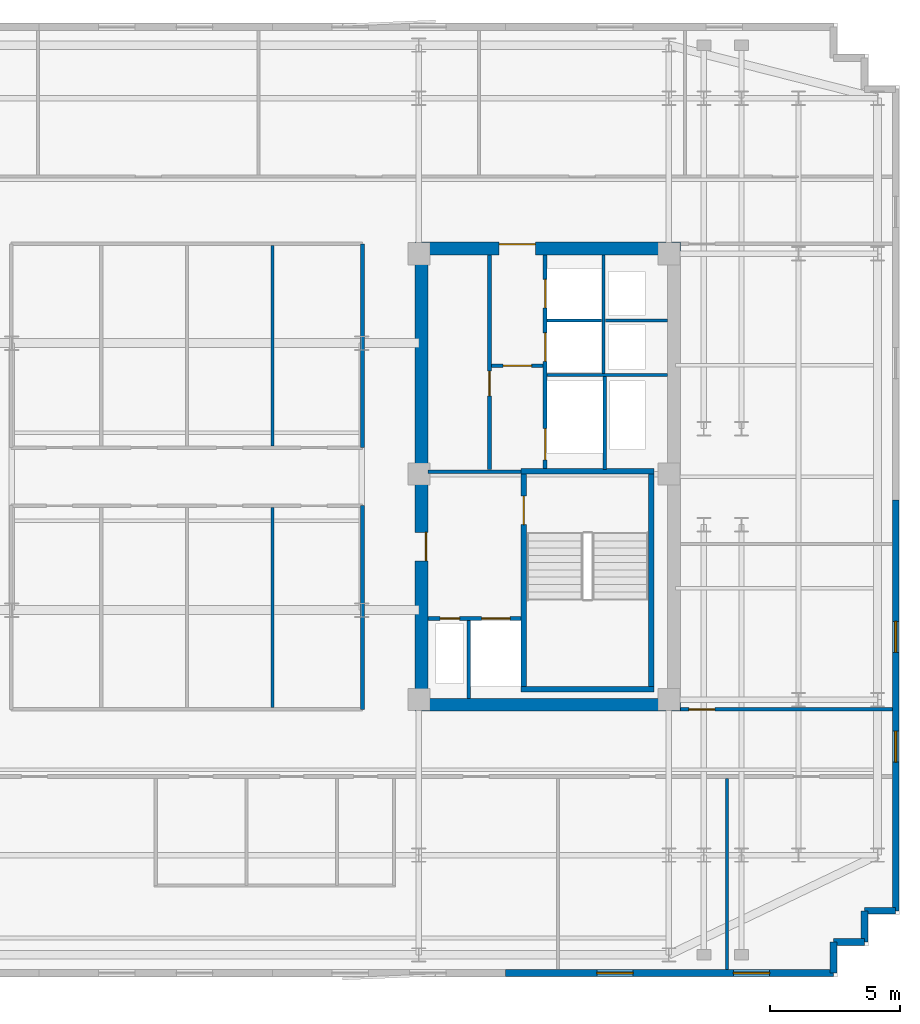
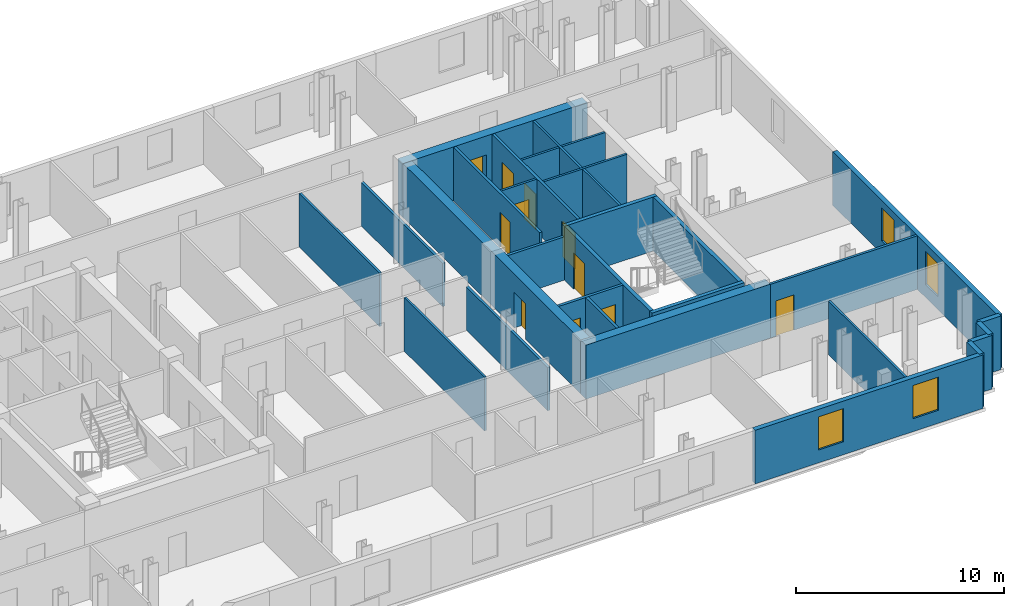
# One storey, part 6 of 10: 30 walls, 11 doors, 4 windows, 15 openings.
"""IFC4 building model written with IfcOpenShell, lengths in metres."""

import ifcopenshell
import ifcopenshell.guid

model = None  # the IFC model being written
_history = None  # IfcOwnerHistory: only IFC2X3 demands one
_inside = {}  # id of a spatial element -> (the spatial element, [elements in it])
_under = {}  # id of a project, library or spatial element -> (it, [spatial elements below it])
_declared = {}  # id of a project -> (the project, [libraries it declares])
_typed = {}  # id of a type object -> (the type object, [elements of that type])
_made_of = {}  # id of a material, layer set ... -> (it, [elements and type objects made of it])


def new_model(schema):
    """Start an empty IFC model of exactly this schema.

    Asked for "IFC4X3", IfcOpenShell would pick the latest addendum, in which some entities
    have other attributes; the version numbers below select the first issue.
    IFC2X3 requires an IfcOwnerHistory on every rooted entity: one is made here for all.
    """
    global model, _history
    if schema == "IFC4X3":
        model = ifcopenshell.file(schema_version=(4, 3, 0, 0))
    else:
        model = ifcopenshell.file(schema=schema)
    _inside.clear()
    _under.clear()
    _declared.clear()
    _typed.clear()
    _made_of.clear()
    _history = None
    if model.schema == "IFC2X3":
        org = make("IfcOrganization", Name="unknown")
        user = make(
            "IfcPersonAndOrganization",
            ThePerson=make("IfcPerson", FamilyName="unknown"),
            TheOrganization=org,
        )
        app = make(
            "IfcApplication",
            ApplicationDeveloper=org,
            Version="unknown",
            ApplicationFullName="unknown",
            ApplicationIdentifier="unknown",
        )
        _history = make(
            "IfcOwnerHistory",
            OwningUser=user,
            OwningApplication=app,
            ChangeAction="ADDED",
            CreationDate=0,
        )
    return model


def make(cls, **values):
    """One entity of the class cls with the attributes given. An attribute that is None is left unset."""
    return model.create_entity(
        cls, **{name: value for name, value in values.items() if value is not None}
    )


def rooted(cls, **values):
    """An entity with a GlobalId (a new one), such as an element, a storey or a relation."""
    return make(cls, GlobalId=ifcopenshell.guid.new(), OwnerHistory=_history, **values)


def si_unit(unit_type, name, prefix=None):
    """IfcSIUnit, for example si_unit("LENGTHUNIT", "METRE", prefix="MILLI")."""
    return make("IfcSIUnit", UnitType=unit_type, Prefix=prefix, Name=name)


def assignment(units):
    """IfcUnitAssignment: the units of a project."""
    return None if units is None else make("IfcUnitAssignment", Units=units)


def point(xyz):
    """IfcCartesianPoint."""
    return None if xyz is None else make("IfcCartesianPoint", Coordinates=xyz)


def direction(xyz):
    """IfcDirection."""
    return None if xyz is None else make("IfcDirection", DirectionRatios=xyz)


def frame(location, z_axis=None, x_axis=None):
    """IfcAxis2Placement3D, a coordinate frame: its origin and axes. An axis left out is left unset."""
    return make(
        "IfcAxis2Placement3D",
        Location=point(location),
        Axis=direction(z_axis),
        RefDirection=direction(x_axis),
    )


def frame_2d(location, x_axis=None):
    """IfcAxis2Placement2D, a coordinate frame in the plane: its origin and x axis."""
    return make(
        "IfcAxis2Placement2D", Location=point(location), RefDirection=direction(x_axis)
    )


def origin():
    """The frame at (0, 0, 0) with its axes left unset."""
    return frame((0.0, 0.0, 0.0))


def place(relative_to, where):
    """IfcLocalPlacement: puts the frame where relative to a parent placement (None: the world)."""
    return make(
        "IfcLocalPlacement", PlacementRelTo=relative_to, RelativePlacement=where
    )


def context(
    kind, dimensions, precision=None, world=None, true_north=None, identifier=None
):
    """IfcGeometricRepresentationContext, for example the 3D "Model" context."""
    return make(
        "IfcGeometricRepresentationContext",
        ContextIdentifier=identifier,
        ContextType=kind,
        CoordinateSpaceDimension=dimensions,
        Precision=precision,
        WorldCoordinateSystem=world,
        TrueNorth=true_north,
    )


def subcontext(parent, identifier, kind, view, scale=None):
    """IfcGeometricRepresentationSubContext, for example "Body" below "Model"."""
    return make(
        "IfcGeometricRepresentationSubContext",
        ContextIdentifier=identifier,
        ContextType=kind,
        ParentContext=parent,
        TargetScale=scale,
        TargetView=view,
    )


def project(units=None, contexts=None):
    """IfcProject with its units and contexts."""
    return rooted(
        "IfcProject",
        Name="project",
        RepresentationContexts=contexts,
        UnitsInContext=assignment(units),
    )


def spatial(cls, under=None, at=None, **own):
    """A site, building, storey or space (cls), placed at a placement, below another one or the project."""
    s = rooted(cls, ObjectPlacement=at, **own)
    if under is not None:
        _under.setdefault(under.id(), (under, []))[1].append(s)
    return s


def profile(cls, at=None, kind="AREA", **sizes):
    """A parametric profile (cls). Its sizes go by their IFC names, for example OverallWidth=200.0."""
    return make(cls, ProfileType=kind, Position=at, **sizes)


def rectangle(**sizes):
    """IfcRectangleProfileDef."""
    return profile("IfcRectangleProfileDef", **sizes)


def extrude(swept, where, along, depth):
    """IfcExtrudedAreaSolid: the profile swept, set in the frame where, extruded along a direction by depth."""
    return make(
        "IfcExtrudedAreaSolid",
        SweptArea=swept,
        Position=where,
        ExtrudedDirection=direction(along),
        Depth=depth,
    )


def shape(context_of_items, identifier, shape_type, items):
    """IfcShapeRepresentation: the items that make up one representation, for example the "Body"."""
    return make(
        "IfcShapeRepresentation",
        ContextOfItems=context_of_items,
        RepresentationIdentifier=identifier,
        RepresentationType=shape_type,
        Items=items,
    )


def material(Name=None, Category=None):
    """IfcMaterial."""
    return make("IfcMaterial", Name=Name, Category=Category)


def layer(
    of_material, thickness, ventilated=None, Name=None, Category=None, Priority=None
):
    """IfcMaterialLayer: one layer of a wall or slab, of a material (None: an air gap)."""
    return make(
        "IfcMaterialLayer",
        Material=of_material,
        LayerThickness=thickness,
        IsVentilated=ventilated,
        Name=Name,
        Category=Category,
        Priority=Priority,
    )


def layer_set(layers, Name=None):
    """IfcMaterialLayerSet."""
    return make("IfcMaterialLayerSet", MaterialLayers=layers, LayerSetName=Name)


def made_of(thing, what):
    """Note that an element or type object is made of a material, layer set ...; save() writes the relation."""
    if what is not None:
        _made_of.setdefault(what.id(), (what, []))[1].append(thing)
    return thing


def type_object(cls, material=None, **own):
    """A type object (cls), such as IfcWallType, which elements share."""
    return made_of(rooted(cls, **own), material)


def element(
    cls,
    number,
    at=None,
    inside=None,
    cuts=None,
    type_object=None,
    material=None,
    context=None,
    identifier="Body",
    shape_type=None,
    held_by="IfcProductDefinitionShape",
    body=None,
    shapes=None,
    **own,
):
    """One element of the class cls, such as IfcWall. Its Tag is "e" and its number.

    at: its placement. inside: the storey or other place that contains it. cuts: it is an
    opening in that element (IfcRelVoidsElement). A single representation is given by context,
    identifier, shape_type and body (its items); several are given by shapes. held_by: the class
    of the entity that holds the representations. save() writes the other relations.
    """
    e = rooted(cls, Tag="e%d" % number, ObjectPlacement=at, **own)
    if body is not None:
        shapes = [shape(context, identifier, shape_type, body)]
    if shapes is not None:
        e.Representation = make(held_by, Representations=shapes)
    if inside is not None:
        _inside.setdefault(inside.id(), (inside, []))[1].append(e)
    if cuts is not None:
        rooted(
            "IfcRelVoidsElement", RelatingBuildingElement=cuts, RelatedOpeningElement=e
        )
    if type_object is not None:
        _typed.setdefault(type_object.id(), (type_object, []))[1].append(e)
    return made_of(e, material)


def fill(opening, filler):
    """IfcRelFillsElement: the door or window that sits in an opening."""
    return rooted(
        "IfcRelFillsElement",
        RelatingOpeningElement=opening,
        RelatedBuildingElement=filler,
    )


def aggregate(whole, parts):
    """IfcRelAggregates: a whole, such as a stair, and the parts it consists of."""
    return rooted("IfcRelAggregates", RelatingObject=whole, RelatedObjects=parts)


def save(model, path):
    """Write the relations noted so far, then the file.

    IfcRelAggregates (storeys below a building ...), IfcRelContainedInSpatialStructure (elements
    in a storey), IfcRelDefinesByType, IfcRelAssociatesMaterial and IfcRelDeclares: one each for
    every whole, place, type object, material and project.
    """
    for whole, parts in _under.values():
        aggregate(whole, parts)
    for where, things in _inside.values():
        rooted(
            "IfcRelContainedInSpatialStructure",
            RelatedElements=things,
            RelatingStructure=where,
        )
    for kind, things in _typed.values():
        rooted("IfcRelDefinesByType", RelatedObjects=things, RelatingType=kind)
    for what, things in _made_of.values():
        rooted("IfcRelAssociatesMaterial", RelatedObjects=things, RelatingMaterial=what)
    for by, libraries in _declared.values():
        rooted("IfcRelDeclares", RelatingContext=by, RelatedDefinitions=libraries)
    model.write(path)


model = new_model("IFC4")

# Units and contexts
model_context = context("Model", 3, precision=1e-05, world=origin(), true_north=direction((0.0, 1.0)))
body_context = subcontext(model_context, "Body", "Model", "MODEL_VIEW")
ifc_project = project(units=[si_unit("LENGTHUNIT", "METRE"), si_unit("AREAUNIT", "SQUARE_METRE"), si_unit("VOLUMEUNIT", "CUBIC_METRE"), si_unit("PLANEANGLEUNIT", "RADIAN"), si_unit("MASSUNIT", "GRAM", prefix="KILO")], contexts=[model_context])

# Site, building, storey
site_placement = place(None, origin())
site = spatial("IfcSite", under=ifc_project, at=site_placement, CompositionType="ELEMENT")
building_placement = place(site_placement, origin())
building = spatial("IfcBuilding", under=site, at=building_placement, Name="Velakula Bourse", CompositionType="ELEMENT")
storey_placement = place(building_placement, frame((0.0, 0.0, 239.550048828125)))
storey = spatial("IfcBuildingStorey", under=building, at=storey_placement, Name="L65", CompositionType="ELEMENT", Elevation=239.550048828125)

# Wall, opening, door
ifc_material_1 = material(Name="Concrete M50 (fck 50 MPa)", Category="concrete")
ifc_layer_1 = layer(ifc_material_1, 0.2099609375, Name="Concrete M50 (fck 50 MPa)", Category="concrete")
ifc_layer_set_1 = layer_set([ifc_layer_1], Name="Concrete M50 (fck 50 MPa)")
wall_type_1 = type_object("IfcWallType", Name="WL-CORE-210", PredefinedType="SHEAR", material=ifc_layer_set_1)
wall_1_placement = place(storey_placement, frame((12.9951171875, -8.10009765625, 0.0), z_axis=(0.0, 0.0, 1.0), x_axis=(0.0, 1.0, 0.0)))
wall_1 = element("IfcWall", 1, at=wall_1_placement, inside=storey, type_object=wall_type_1, Name="L65 Core E Stairwell Shear Wall IN", PredefinedType="SHEAR", context=body_context, shape_type="SweptSolid", body=[
    extrude(rectangle(XDim=8.2001953125, YDim=0.2099609375, at=frame_2d((4.10009765625, 0.0))), origin(), (0.0, 0.0, 1.0), 3.169921875),
])
opening_1_placement = place(wall_1_placement, frame((6.25, 0.0, 0.0)))
opening_1 = element("IfcOpeningElement", 2, at=opening_1_placement, cuts=wall_1, Name="Opening D-STE1", PredefinedType="OPENING", context=body_context, shape_type="SweptSolid", body=[
    extrude(rectangle(XDim=1.10009765625, YDim=2.14990234375, at=frame_2d((0.550048828125, 1.074951171875))), frame((0.0, 0.114990234375, 0.0), z_axis=(0.0, -1.0, 0.0), x_axis=(1.0, 0.0, 0.0)), (0.0, 0.0, 1.0), 0.22998046875),
])
ifc_material_2 = material(Name="Galvanised painted hollow steel fire door", Category="steel")
door_type_1 = type_object("IfcDoorType", Name="DR-FD120-1100x2150", OperationType="NOTDEFINED", PredefinedType="DOOR", material=ifc_material_2)
door_1_placement = place(opening_1_placement, origin())
door_1 = element("IfcDoor", 3, at=door_1_placement, inside=storey, type_object=door_type_1, Name="L65 Stair ST-E1 Fire Door", OperationType="SINGLE_SWING_RIGHT", OverallHeight=2.14990234375, OverallWidth=1.10009765625, PredefinedType="DOOR", context=body_context, shape_type="SweptSolid", body=[
    extrude(rectangle(XDim=1.10009765625, YDim=2.14990234375, at=frame_2d((0.550048828125, 1.074951171875))), frame((0.0, 0.02490234375, 0.0), z_axis=(0.0, -1.0, 0.0), x_axis=(1.0, 0.0, 0.0)), (0.0, 0.0, 1.0), 0.050048828125),
])
fill(opening_1, door_1)

# Walls
wall_2_placement = place(storey_placement, frame((17.925048828125, -8.10009765625, 0.0), z_axis=(0.0, 0.0, 1.0), x_axis=(0.0, 1.0, 0.0)))
element("IfcWall", 4, at=wall_2_placement, inside=storey, type_object=wall_type_1, Name="L65 Core E Stairwell Shear Wall OUT", PredefinedType="SHEAR", context=body_context, shape_type="SweptSolid", body=[
    extrude(rectangle(XDim=8.2001953125, YDim=0.2099609375, at=frame_2d((4.10009765625, 0.0))), origin(), (0.0, 0.0, 1.0), 3.169921875),
])
for number, where, z_axis, x_axis, name in (
    (5, (12.889892578125, -8.205078125, 0.0), (0.0, 0.0, 1.0), (1.0, 0.0, 0.0), "L65 Core E Stairwell Shear Wall S"),
    (6, (18.030029296875, 0.205078125, 0.0), (0.0, 0.0, 1.0), (-1.0, 0.0, 0.0), "L65 Core E Stairwell Shear Wall N"),
):
    element("IfcWall", number, at=place(storey_placement, frame(where, z_axis=z_axis, x_axis=x_axis)), inside=storey, type_object=wall_type_1, Name=name, PredefinedType="SHEAR", context=body_context, shape_type="SweptSolid", body=[
        extrude(rectangle(XDim=5.14013671875, YDim=0.2099609375, at=frame_2d((2.570068359375, 0.0))), origin(), (0.0, 0.0, 1.0), 3.169921875),
    ])
ifc_layer_2 = layer(ifc_material_1, 0.5, Name="Concrete M50 (fck 50 MPa)", Category="concrete")
ifc_layer_set_2 = layer_set([ifc_layer_2], Name="Concrete M50 (fck 50 MPa)")
wall_type_2 = type_object("IfcWallType", Name="WL-CORE-500", PredefinedType="SHEAR", material=ifc_layer_set_2)
wall_3_placement = place(storey_placement, frame((8.800048828125, -8.800048828125, 0.0), z_axis=(0.0, 0.0, 1.0), x_axis=(1.0, 0.0, 0.0)))
element("IfcWall", 7, at=wall_3_placement, inside=storey, type_object=wall_type_2, Name="L65 Core E Shear Wall S", PredefinedType="SHEAR", context=body_context, shape_type="SweptSolid", body=[
    extrude(rectangle(XDim=10.25, YDim=0.5, at=frame_2d((5.125, 0.0))), origin(), (0.0, 0.0, 1.0), 3.169921875),
])

# Wall, opening, door
wall_4_placement = place(storey_placement, frame((8.800048828125, 8.800048828125, 0.0), z_axis=(0.0, 0.0, 1.0), x_axis=(1.0, 0.0, 0.0)))
wall_4 = element("IfcWall", 8, at=wall_4_placement, inside=storey, type_object=wall_type_2, Name="L65 Core E Shear Wall N", PredefinedType="SHEAR", context=body_context, shape_type="SweptSolid", body=[
    extrude(rectangle(XDim=10.25, YDim=0.5, at=frame_2d((5.125, 0.0))), origin(), (0.0, 0.0, 1.0), 3.169921875),
])
opening_2_placement = place(wall_4_placement, frame((3.25, 0.0, 0.0)))
opening_2 = element("IfcOpeningElement", 9, at=opening_2_placement, cuts=wall_4, Name="Opening D-LLE", PredefinedType="OPENING", context=body_context, shape_type="SweptSolid", body=[
    extrude(rectangle(XDim=1.39990234375, YDim=2.050048828125, at=frame_2d((0.699951171875, 1.02490234375))), frame((0.0, 0.260009765625, 0.0), z_axis=(0.0, -1.0, 0.0), x_axis=(1.0, 0.0, 0.0)), (0.0, 0.0, 1.0), 0.52001953125),
])
ifc_material_3 = material(Name="Fire-rated hardwood flush architectural door", Category="wood")
door_type_2 = type_object("IfcDoorType", Name="DR-DBL-FD60-1400", OperationType="DOUBLE_DOOR_SINGLE_SWING", PredefinedType="DOOR", material=ifc_material_3)
door_2_placement = place(opening_2_placement, origin())
door_2 = element("IfcDoor", 10, at=door_2_placement, inside=storey, type_object=door_type_2, Name="L65 Core E Lift Lobby Corridor Double Door", OperationType="DOUBLE_DOOR_SINGLE_SWING", OverallHeight=2.050048828125, OverallWidth=1.39990234375, PredefinedType="DOOR", context=body_context, shape_type="SweptSolid", body=[
    extrude(rectangle(XDim=1.39990234375, YDim=2.050048828125, at=frame_2d((0.699951171875, 1.02490234375))), frame((0.0, 0.19482421875, 0.0), z_axis=(0.0, -1.0, 0.0), x_axis=(1.0, 0.0, 0.0)), (0.0, 0.0, 1.0), 0.050048828125),
])
fill(opening_2, door_2)

wall_5_placement = place(storey_placement, frame((9.050048828125, -8.550048828125, 0.0), z_axis=(0.0, 0.0, 1.0), x_axis=(0.0, 1.0, 0.0)))
wall_5 = element("IfcWall", 11, at=wall_5_placement, inside=storey, type_object=wall_type_2, Name="L65 Core E Shear Wall W", PredefinedType="SHEAR", context=body_context, shape_type="SweptSolid", body=[
    extrude(rectangle(XDim=17.10009765625, YDim=0.5, at=frame_2d((8.550048828125, 0.0))), origin(), (0.0, 0.0, 1.0), 3.169921875),
])
opening_3_placement = place(wall_5_placement, frame((5.300048828125, 0.0, 0.0)))
opening_3 = element("IfcOpeningElement", 12, at=opening_3_placement, cuts=wall_5, Name="Opening D-FLE", PredefinedType="OPENING", context=body_context, shape_type="SweptSolid", body=[
    extrude(rectangle(XDim=1.10009765625, YDim=2.080078125, at=frame_2d((0.550048828125, 1.0400390625))), frame((0.0, 0.260009765625, 0.0), z_axis=(0.0, -1.0, 0.0), x_axis=(1.0, 0.0, 0.0)), (0.0, 0.0, 1.0), 0.52001953125),
])
door_type_3 = type_object("IfcDoorType", Name="DR-FD120-1100", OperationType="NOTDEFINED", PredefinedType="DOOR", material=ifc_material_2)
door_3_placement = place(opening_3_placement, origin())
door_3 = element("IfcDoor", 13, at=door_3_placement, inside=storey, type_object=door_type_3, Name="L65 Firefighting Lobby E Corridor Fire Door", OperationType="SINGLE_SWING_RIGHT", OverallHeight=2.080078125, OverallWidth=1.10009765625, PredefinedType="DOOR", context=body_context, shape_type="SweptSolid", body=[
    extrude(rectangle(XDim=1.10009765625, YDim=2.080078125, at=frame_2d((0.550048828125, 1.0400390625))), frame((0.0, -0.15478515625, 0.0), z_axis=(0.0, -1.0, 0.0), x_axis=(1.0, 0.0, 0.0)), (0.0, 0.0, 1.0), 0.050048828125),
])
fill(opening_3, door_3)

# Wall, openings, windows
ifc_material_4 = material(Name="Buff kilned clay facing brick masonry", Category="masonry")
ifc_layer_3 = layer(ifc_material_4, 0.260009765625, Name="Buff kilned clay facing brick masonry", Category="masonry")
ifc_layer_set_3 = layer_set([ifc_layer_3], Name="Buff kilned clay facing brick masonry")
wall_type_3 = type_object("IfcWallType", Name="WL-EXT-BRK-260", PredefinedType="STANDARD", material=ifc_layer_set_3)
wall_6_placement = place(storey_placement, frame((24.949951171875, -19.14990234375, 0.0), z_axis=(0.0, 0.0, 1.0), x_axis=(-1.0, 0.0, 0.0)))
wall_6 = element("IfcWall", 14, at=wall_6_placement, inside=storey, type_object=wall_type_3, Name="L65 S Brick Spandrel Wall B5", PredefinedType="STANDARD", context=body_context, shape_type="SweptSolid", body=[
    extrude(rectangle(XDim=12.64990234375, YDim=0.260009765625, at=frame_2d((6.324951171875, 0.0))), origin(), (0.0, 0.0, 1.0), 3.14990234375),
])
opening_4_placement = place(wall_6_placement, frame((2.466796875, 0.0, 0.760009765625)))
opening_4 = element("IfcOpeningElement", 15, at=opening_4_placement, cuts=wall_6, Name="Opening W-03", PredefinedType="OPENING", context=body_context, shape_type="SweptSolid", body=[
    extrude(rectangle(XDim=1.39990234375, YDim=1.949951171875, at=frame_2d((0.699951171875, 0.97509765625))), frame((0.0, 0.139892578125, 0.0), z_axis=(0.0, -1.0, 0.0), x_axis=(1.0, 0.0, 0.0)), (0.0, 0.0, 1.0), 0.280029296875),
])
opening_5_placement = place(wall_6_placement, frame((7.7333984375, 0.0, 0.760009765625)))
opening_5 = element("IfcOpeningElement", 16, at=opening_5_placement, cuts=wall_6, Name="Opening W-03", PredefinedType="OPENING", context=body_context, shape_type="SweptSolid", body=[
    extrude(rectangle(XDim=1.39990234375, YDim=1.949951171875, at=frame_2d((0.699951171875, 0.97509765625))), frame((0.0, 0.139892578125, 0.0), z_axis=(0.0, -1.0, 0.0), x_axis=(1.0, 0.0, 0.0)), (0.0, 0.0, 1.0), 0.280029296875),
])
ifc_material_5 = material(Name="Double-glazed solar-control Low-E glass", Category="glass")
window_type_1 = type_object("IfcWindowType", Name="WIN-TWR-1400x2100", PartitioningType="SINGLE_PANEL", PredefinedType="WINDOW", material=ifc_material_5)
window_1_placement = place(opening_4_placement, origin())
window_1 = element("IfcWindow", 17, at=window_1_placement, inside=storey, type_object=window_type_1, Name="L65 Deep-Set Recessed Window 1", OverallHeight=1.949951171875, OverallWidth=1.39990234375, PartitioningType="SINGLE_PANEL", PredefinedType="WINDOW", context=body_context, shape_type="SweptSolid", body=[
    extrude(rectangle(XDim=1.39990234375, YDim=1.949951171875, at=frame_2d((0.699951171875, 0.97509765625))), frame((0.0, 0.030029296875, 0.0), z_axis=(0.0, -1.0, 0.0), x_axis=(1.0, 0.0, 0.0)), (0.0, 0.0, 1.0), 0.06005859375),
])
fill(opening_4, window_1)
window_2_placement = place(opening_5_placement, origin())
window_2 = element("IfcWindow", 18, at=window_2_placement, inside=storey, type_object=window_type_1, Name="L65 Deep-Set Recessed Window 2", OverallHeight=1.949951171875, OverallWidth=1.39990234375, PartitioningType="SINGLE_PANEL", PredefinedType="WINDOW", context=body_context, shape_type="SweptSolid", body=[
    extrude(rectangle(XDim=1.39990234375, YDim=1.949951171875, at=frame_2d((0.699951171875, 0.97509765625))), frame((0.0, 0.030029296875, 0.0), z_axis=(0.0, -1.0, 0.0), x_axis=(1.0, 0.0, 0.0)), (0.0, 0.0, 1.0), 0.06005859375),
])
fill(opening_5, window_2)

wall_7_placement = place(storey_placement, frame((27.35009765625, -0.89990234375, 0.0), z_axis=(0.0, 0.0, 1.0), x_axis=(0.0, -1.0, 0.0)))
wall_7 = element("IfcWall", 19, at=wall_7_placement, inside=storey, type_object=wall_type_3, Name="L65 E Brick End Wall W1", PredefinedType="STANDARD", context=body_context, shape_type="SweptSolid", body=[
    extrude(rectangle(XDim=15.85009765625, YDim=0.260009765625, at=frame_2d((7.925048828125, 0.0))), origin(), (0.0, 0.0, 1.0), 3.14990234375),
])
opening_6_placement = place(wall_7_placement, frame((4.683349609375, 0.0, 0.760009765625)))
opening_6 = element("IfcOpeningElement", 20, at=opening_6_placement, cuts=wall_7, Name="Opening W-04", PredefinedType="OPENING", context=body_context, shape_type="SweptSolid", body=[
    extrude(rectangle(XDim=1.199951171875, YDim=1.949951171875, at=frame_2d((0.60009765625, 0.97509765625))), frame((0.0, 0.139892578125, 0.0), z_axis=(0.0, -1.0, 0.0), x_axis=(1.0, 0.0, 0.0)), (0.0, 0.0, 1.0), 0.280029296875),
])
opening_7_placement = place(wall_7_placement, frame((8.916748046875, 0.0, 0.760009765625)))
opening_7 = element("IfcOpeningElement", 21, at=opening_7_placement, cuts=wall_7, Name="Opening W-04", PredefinedType="OPENING", context=body_context, shape_type="SweptSolid", body=[
    extrude(rectangle(XDim=1.199951171875, YDim=1.949951171875, at=frame_2d((0.60009765625, 0.97509765625))), frame((0.0, 0.139892578125, 0.0), z_axis=(0.0, -1.0, 0.0), x_axis=(1.0, 0.0, 0.0)), (0.0, 0.0, 1.0), 0.280029296875),
])
window_type_2 = type_object("IfcWindowType", Name="WIN-TWR-1200x2100", PartitioningType="SINGLE_PANEL", PredefinedType="WINDOW", material=ifc_material_5)
window_3_placement = place(opening_6_placement, origin())
window_3 = element("IfcWindow", 22, at=window_3_placement, inside=storey, type_object=window_type_2, Name="L65 Deep-Set Recessed Window 1", OverallHeight=1.949951171875, OverallWidth=1.199951171875, PartitioningType="SINGLE_PANEL", PredefinedType="WINDOW", context=body_context, shape_type="SweptSolid", body=[
    extrude(rectangle(XDim=1.199951171875, YDim=1.949951171875, at=frame_2d((0.60009765625, 0.97509765625))), frame((0.0, 0.030029296875, 0.0), z_axis=(0.0, -1.0, 0.0), x_axis=(1.0, 0.0, 0.0)), (0.0, 0.0, 1.0), 0.06005859375),
])
fill(opening_6, window_3)
window_4_placement = place(opening_7_placement, origin())
window_4 = element("IfcWindow", 23, at=window_4_placement, inside=storey, type_object=window_type_2, Name="L65 Deep-Set Recessed Window 2", OverallHeight=1.949951171875, OverallWidth=1.199951171875, PartitioningType="SINGLE_PANEL", PredefinedType="WINDOW", context=body_context, shape_type="SweptSolid", body=[
    extrude(rectangle(XDim=1.199951171875, YDim=1.949951171875, at=frame_2d((0.60009765625, 0.97509765625))), frame((0.0, 0.030029296875, 0.0), z_axis=(0.0, -1.0, 0.0), x_axis=(1.0, 0.0, 0.0)), (0.0, 0.0, 1.0), 0.06005859375),
])
fill(opening_7, window_4)

# Walls
for number, where, z_axis, x_axis, name in (
    (24, (24.949951171875, -19.14990234375, 0.0), (0.0, 0.0, 1.0), (0.0, 1.0, 0.0), "L65 Serrated Corner Brick Wall SE-1"),
    (25, (24.949951171875, -17.949951171875, 0.0), (0.0, 0.0, 1.0), (1.0, 0.0, 0.0), "L65 Serrated Corner Brick Wall SE-2"),
    (26, (26.14990234375, -17.949951171875, 0.0), (0.0, 0.0, 1.0), (0.0, 1.0, 0.0), "L65 Serrated Corner Brick Wall SE-3"),
):
    element("IfcWall", number, at=place(storey_placement, frame(where, z_axis=z_axis, x_axis=x_axis)), inside=storey, type_object=wall_type_3, Name=name, PredefinedType="STANDARD", context=body_context, shape_type="SweptSolid", body=[
        extrude(rectangle(XDim=1.199951171875, YDim=0.260009765625, at=frame_2d((0.60009765625, 0.0))), origin(), (0.0, 0.0, 1.0), 3.14990234375),
    ])
wall_8_placement = place(storey_placement, frame((26.14990234375, -16.75, 0.0), z_axis=(0.0, 0.0, 1.0), x_axis=(1.0, 0.0, 0.0)))
element("IfcWall", 27, at=wall_8_placement, inside=storey, type_object=wall_type_3, Name="L65 Serrated Corner Brick Wall SE-4", PredefinedType="STANDARD", context=body_context, shape_type="SweptSolid", body=[
    extrude(rectangle(XDim=1.2001953125, YDim=0.260009765625, at=frame_2d((0.60009765625, 0.0))), origin(), (0.0, 0.0, 1.0), 3.14990234375),
])

# Wall, opening, door
ifc_material_6 = material(Name="Fire-rated double-layer gypsum drywall partition", Category="gypsum")
ifc_layer_4 = layer(ifc_material_6, 0.1201171875, Name="Fire-rated double-layer gypsum drywall partition", Category="gypsum")
ifc_layer_set_4 = layer_set([ifc_layer_4], Name="Fire-rated double-layer gypsum drywall partition")
wall_type_4 = type_object("IfcWallType", Name="WL-PART-120", PredefinedType="STANDARD", material=ifc_layer_set_4)
wall_9_placement = place(storey_placement, frame((11.75, 4.280029296875, 0.0), z_axis=(0.0, 0.0, 1.0), x_axis=(1.0, 0.0, 0.0)))
wall_9 = element("IfcWall", 28, at=wall_9_placement, inside=storey, type_object=wall_type_4, Name="L65 Interior Partition WL-CRE-L65-LL-K2", PredefinedType="STANDARD", context=body_context, shape_type="SweptSolid", body=[
    extrude(rectangle(XDim=2.0, YDim=0.1201171875, at=frame_2d((1.0, 0.0))), origin(), (0.0, 0.0, 1.0), 3.14990234375),
])
opening_8_placement = place(wall_9_placement, frame((0.449951171875, 0.0, 0.0)))
opening_8 = element("IfcOpeningElement", 29, at=opening_8_placement, cuts=wall_9, Name="Opening D-LK2", PredefinedType="OPENING", context=body_context, shape_type="SweptSolid", body=[
    extrude(rectangle(XDim=1.10009765625, YDim=2.10009765625, at=frame_2d((0.550048828125, 1.050048828125))), frame((0.0, 0.070068359375, 0.0), z_axis=(0.0, -1.0, 0.0), x_axis=(1.0, 0.0, 0.0)), (0.0, 0.0, 1.0), 0.14013671875),
])
door_type_4 = type_object("IfcDoorType", Name="DR-FD60-1100x2100", OperationType="NOTDEFINED", PredefinedType="DOOR", material=ifc_material_3)
door_4_placement = place(opening_8_placement, origin())
door_4 = element("IfcDoor", 30, at=door_4_placement, inside=storey, type_object=door_type_4, Name="L65 Core E Lift Lobby Zone Door", OperationType="SINGLE_SWING_LEFT", OverallHeight=2.10009765625, OverallWidth=1.10009765625, PredefinedType="DOOR", context=body_context, shape_type="SweptSolid", body=[
    extrude(rectangle(XDim=1.10009765625, YDim=2.10009765625, at=frame_2d((0.550048828125, 1.050048828125))), frame((0.0, 0.02490234375, 0.0), z_axis=(0.0, -1.0, 0.0), x_axis=(1.0, 0.0, 0.0)), (0.0, 0.0, 1.0), 0.050048828125),
])
fill(opening_8, door_4)

# Walls
wall_10_placement = place(storey_placement, frame((13.89990234375, 3.919921875, 0.0), z_axis=(0.0, 0.0, 1.0), x_axis=(1.0, 0.0, 0.0)))
element("IfcWall", 31, at=wall_10_placement, inside=storey, type_object=wall_type_4, Name="L65 Interior Partition WL-CRE-L65-HI-S", PredefinedType="STANDARD", context=body_context, shape_type="SweptSolid", body=[
    extrude(rectangle(XDim=4.650146484375, YDim=0.1201171875, at=frame_2d((2.3251953125, 0.0))), origin(), (0.0, 0.0, 1.0), 3.14990234375),
])
wall_11_placement = place(storey_placement, frame((16.14990234375, 6.030029296875, 0.0), z_axis=(0.0, 0.0, 1.0), x_axis=(1.0, 0.0, 0.0)))
element("IfcWall", 32, at=wall_11_placement, inside=storey, type_object=wall_type_4, Name="L65 Interior Partition WL-CRE-L65-RIS-MID", PredefinedType="STANDARD", context=body_context, shape_type="SweptSolid", body=[
    extrude(rectangle(XDim=2.400146484375, YDim=0.1201171875, at=frame_2d((1.2001953125, 0.0))), origin(), (0.0, 0.0, 1.0), 3.14990234375),
])
wall_12_placement = place(storey_placement, frame((16.074951171875, 3.97998046875, 0.0), z_axis=(0.0, 0.0, 1.0), x_axis=(0.0, 1.0, 0.0)))
element("IfcWall", 33, at=wall_12_placement, inside=storey, type_object=wall_type_4, Name="L65 Interior Partition WL-CRE-L65-RIS-F", PredefinedType="STANDARD", context=body_context, shape_type="SweptSolid", body=[
    extrude(rectangle(XDim=4.570068359375, YDim=0.1201171875, at=frame_2d((2.28515625, 0.0))), origin(), (0.0, 0.0, 1.0), 3.14990234375),
])
wall_13_placement = place(storey_placement, frame((13.89990234375, 6.030029296875, 0.0), z_axis=(0.0, 0.0, 1.0), x_axis=(1.0, 0.0, 0.0)))
element("IfcWall", 34, at=wall_13_placement, inside=storey, type_object=wall_type_4, Name="L65 Interior Partition WL-CRE-L65-HI-DIV", PredefinedType="STANDARD", context=body_context, shape_type="SweptSolid", body=[
    extrude(rectangle(XDim=2.10009765625, YDim=0.1201171875, at=frame_2d((1.050048828125, 0.0))), origin(), (0.0, 0.0, 1.0), 3.14990234375),
])
wall_14_placement = place(storey_placement, frame((16.125, 0.27001953125, 0.0), z_axis=(0.0, 0.0, 1.0), x_axis=(0.0, 1.0, 0.0)))
element("IfcWall", 35, at=wall_14_placement, inside=storey, type_object=wall_type_4, Name="L65 Interior Partition WL-CRE-L65-SVL-E", PredefinedType="STANDARD", context=body_context, shape_type="SweptSolid", body=[
    extrude(rectangle(XDim=3.590087890625, YDim=0.1201171875, at=frame_2d((1.794921875, 0.0))), origin(), (0.0, 0.0, 1.0), 3.14990234375),
])
wall_15_placement = place(storey_placement, frame((20.8369140625, -19.02001953125, 0.0), z_axis=(0.0, 0.0, 1.0), x_axis=(0.0, 1.0, 0.0)))
element("IfcWall", 36, at=wall_15_placement, inside=storey, type_object=wall_type_4, Name="L65 Interior Partition WL-INT-L65-SR-D8", PredefinedType="STANDARD", context=body_context, shape_type="SweptSolid", body=[
    extrude(rectangle(XDim=7.380126953125, YDim=0.1201171875, at=frame_2d((3.68994140625, 0.0))), origin(), (0.0, 0.0, 1.0), 3.14990234375),
])

# Wall, opening, door
ifc_layer_5 = layer(ifc_material_6, 0.139892578125, Name="Fire-rated double-layer gypsum drywall partition", Category="gypsum")
ifc_layer_set_5 = layer_set([ifc_layer_5], Name="Fire-rated double-layer gypsum drywall partition")
wall_type_5 = type_object("IfcWallType", Name="WL-PART-140", PredefinedType="STANDARD", material=ifc_layer_set_5)
wall_16_placement = place(storey_placement, frame((19.050048828125, -8.97998046875, 0.0), z_axis=(0.0, 0.0, 1.0), x_axis=(1.0, 0.0, 0.0)))
wall_16 = element("IfcWall", 37, at=wall_16_placement, inside=storey, type_object=wall_type_5, Name="L65 Interior Partition WL-INT-L65-E-SC", PredefinedType="STANDARD", context=body_context, shape_type="SweptSolid", body=[
    extrude(rectangle(XDim=8.169921875, YDim=0.139892578125, at=frame_2d((4.0849609375, 0.0))), origin(), (0.0, 0.0, 1.0), 3.14990234375),
])
opening_9_placement = place(wall_16_placement, frame((0.320068359375, 0.0, 0.0)))
opening_9 = element("IfcOpeningElement", 38, at=opening_9_placement, cuts=wall_16, Name="Opening D-OF1", PredefinedType="OPENING", context=body_context, shape_type="SweptSolid", body=[
    extrude(rectangle(XDim=1.0, YDim=2.080078125, at=frame_2d((0.5, 1.0400390625))), frame((0.0, 0.079833984375, 0.0), z_axis=(0.0, -1.0, 0.0), x_axis=(1.0, 0.0, 0.0)), (0.0, 0.0, 1.0), 0.159912109375),
])
door_type_5 = type_object("IfcDoorType", Name="DR-OFF-1000", OperationType="NOTDEFINED", PredefinedType="DOOR", material=ifc_material_3)
door_5_placement = place(opening_9_placement, origin())
door_5 = element("IfcDoor", 39, at=door_5_placement, inside=storey, type_object=door_type_5, Name="L65 Prime-Brokerage Dealing Workspace Door", OperationType="SINGLE_SWING_RIGHT", OverallHeight=2.080078125, OverallWidth=1.0, PredefinedType="DOOR", context=body_context, shape_type="SweptSolid", body=[
    extrude(rectangle(XDim=1.0, YDim=2.080078125, at=frame_2d((0.5, 1.0400390625))), frame((0.0, 0.02490234375, 0.0), z_axis=(0.0, -1.0, 0.0), x_axis=(1.0, 0.0, 0.0)), (0.0, 0.0, 1.0), 0.050048828125),
])
fill(opening_9, door_5)

# Walls
wall_17_placement = place(storey_placement, frame((6.780029296875, 1.1201171875, 0.0), z_axis=(0.0, 0.0, 1.0), x_axis=(0.0, 1.0, 0.0)))
element("IfcWall", 40, at=wall_17_placement, inside=storey, type_object=wall_type_5, Name="L65 Interior Partition WL-INT-L65-MN-E", PredefinedType="STANDARD", context=body_context, shape_type="SweptSolid", body=[
    extrude(rectangle(XDim=7.85986328125, YDim=0.139892578125, at=frame_2d((3.929931640625, 0.0))), origin(), (0.0, 0.0, 1.0), 2.544921875),
])
wall_18_placement = place(storey_placement, frame((3.300048828125, 1.18994140625, 0.0), z_axis=(0.0, 0.0, 1.0), x_axis=(0.0, 1.0, 0.0)))
element("IfcWall", 41, at=wall_18_placement, inside=storey, type_object=wall_type_5, Name="L65 Interior Partition WL-INT-L65-MN-V3", PredefinedType="STANDARD", context=body_context, shape_type="SweptSolid", body=[
    extrude(rectangle(XDim=7.719970703125, YDim=0.1201171875, at=frame_2d((3.85986328125, 0.0))), origin(), (0.0, 0.0, 1.0), 3.14990234375),
])
wall_19_placement = place(storey_placement, frame((6.780029296875, -8.97998046875, 0.0), z_axis=(0.0, 0.0, 1.0), x_axis=(0.0, 1.0, 0.0)))
element("IfcWall", 42, at=wall_19_placement, inside=storey, type_object=wall_type_5, Name="L65 Interior Partition WL-INT-L65-MS-E", PredefinedType="STANDARD", context=body_context, shape_type="SweptSolid", body=[
    extrude(rectangle(XDim=7.85986328125, YDim=0.139892578125, at=frame_2d((3.929931640625, 0.0))), origin(), (0.0, 0.0, 1.0), 2.544921875),
])
wall_20_placement = place(storey_placement, frame((3.300048828125, -8.909912109375, 0.0), z_axis=(0.0, 0.0, 1.0), x_axis=(0.0, 1.0, 0.0)))
element("IfcWall", 43, at=wall_20_placement, inside=storey, type_object=wall_type_5, Name="L65 Interior Partition WL-INT-L65-MS-V3", PredefinedType="STANDARD", context=body_context, shape_type="SweptSolid", body=[
    extrude(rectangle(XDim=7.719970703125, YDim=0.1201171875, at=frame_2d((3.85986328125, 0.0))), origin(), (0.0, 0.0, 1.0), 3.14990234375),
])

# Wall, openings, doors
ifc_material_7 = material(Name="Autoclaved aerated concrete blockwork masonry", Category="masonry")
ifc_layer_6 = layer(ifc_material_7, 0.14990234375, Name="Autoclaved aerated concrete blockwork masonry", Category="masonry")
ifc_layer_set_6 = layer_set([ifc_layer_6], Name="Autoclaved aerated concrete blockwork masonry")
wall_type_6 = type_object("IfcWallType", Name="WL-SHAFT-150", PredefinedType="STANDARD", material=ifc_layer_set_6)
wall_21_placement = place(storey_placement, frame((9.300048828125, -5.47509765625, 0.0), z_axis=(0.0, 0.0, 1.0), x_axis=(1.0, 0.0, 0.0)))
wall_21 = element("IfcWall", 44, at=wall_21_placement, inside=storey, type_object=wall_type_6, Name="L65 Interior Partition WL-CRE-L65-FFL-N", PredefinedType="STANDARD", context=body_context, shape_type="SweptSolid", body=[
    extrude(rectangle(XDim=3.594970703125, YDim=0.14990234375, at=frame_2d((1.79736328125, 0.0))), origin(), (0.0, 0.0, 1.0), 3.14990234375),
])
opening_10_placement = place(wall_21_placement, frame((2.074951171875, 0.0, 0.0)))
opening_10 = element("IfcOpeningElement", 45, at=opening_10_placement, cuts=wall_21, Name="Opening LD-FFL-2", PredefinedType="OPENING", context=body_context, shape_type="SweptSolid", body=[
    extrude(rectangle(XDim=1.10009765625, YDim=2.14990234375, at=frame_2d((0.550048828125, 1.074951171875))), frame((0.0, 0.0849609375, 0.0), z_axis=(0.0, -1.0, 0.0), x_axis=(1.0, 0.0, 0.0)), (0.0, 0.0, 1.0), 0.169921875),
])
opening_11_placement = place(wall_21_placement, frame((0.47509765625, 0.0, 0.0)))
opening_11 = element("IfcOpeningElement", 46, at=opening_11_placement, cuts=wall_21, Name="Opening D-RS1", PredefinedType="OPENING", context=body_context, shape_type="SweptSolid", body=[
    extrude(rectangle(XDim=0.75, YDim=2.050048828125, at=frame_2d((0.375, 1.02490234375))), frame((0.0, 0.0849609375, 0.0), z_axis=(0.0, -1.0, 0.0), x_axis=(1.0, 0.0, 0.0)), (0.0, 0.0, 1.0), 0.169921875),
])
door_type_6 = type_object("IfcDoorType", Name="DR-RISER-800", OperationType="NOTDEFINED", PredefinedType="DOOR", material=ifc_material_2)
door_6_placement = place(opening_11_placement, origin())
door_6 = element("IfcDoor", 47, at=door_6_placement, inside=storey, type_object=door_type_6, Name="L65 Fire Riser Access Door", OperationType="SINGLE_SWING_LEFT", OverallHeight=2.050048828125, OverallWidth=0.75, PredefinedType="DOOR", context=body_context, shape_type="SweptSolid", body=[
    extrude(rectangle(XDim=0.75, YDim=2.050048828125, at=frame_2d((0.375, 1.02490234375))), frame((0.0, 0.02490234375, 0.0), z_axis=(0.0, -1.0, 0.0), x_axis=(1.0, 0.0, 0.0)), (0.0, 0.0, 1.0), 0.050048828125),
])
fill(opening_11, door_6)
ifc_material_8 = material(Name="Brushed grade 316 stainless steel", Category="steel")
door_type_7 = type_object("IfcDoorType", Name="DR-SLIDE-FFL-1100", OperationType="DOUBLE_DOOR_SLIDING", PredefinedType="DOOR", material=ifc_material_8)
door_7_placement = place(opening_10_placement, origin())
door_7 = element("IfcDoor", 48, at=door_7_placement, inside=storey, type_object=door_type_7, Name="L65 Firefighting Lift FFL-2 Sliding Landing Door", OperationType="DOUBLE_DOOR_SLIDING", OverallHeight=2.14990234375, OverallWidth=1.10009765625, PredefinedType="DOOR", context=body_context, shape_type="SweptSolid", body=[
    extrude(rectangle(XDim=1.10009765625, YDim=2.14990234375, at=frame_2d((0.550048828125, 1.074951171875))), frame((0.0, 0.02490234375, 0.0), z_axis=(0.0, -1.0, 0.0), x_axis=(1.0, 0.0, 0.0)), (0.0, 0.0, 1.0), 0.050048828125),
])
fill(opening_10, door_7)

# Walls
wall_22_placement = place(storey_placement, frame((10.875, -8.550048828125, 0.0), z_axis=(0.0, 0.0, 1.0), x_axis=(0.0, 1.0, 0.0)))
element("IfcWall", 49, at=wall_22_placement, inside=storey, type_object=wall_type_6, Name="L65 Interior Partition WL-CRE-L65-FR-DIV", PredefinedType="STANDARD", context=body_context, shape_type="SweptSolid", body=[
    extrude(rectangle(XDim=3.0, YDim=0.14990234375, at=frame_2d((1.5, 0.0))), origin(), (0.0, 0.0, 1.0), 3.14990234375),
])
wall_23_placement = place(storey_placement, frame((9.300048828125, 0.18994140625, 0.0), z_axis=(0.0, 0.0, 1.0), x_axis=(1.0, 0.0, 0.0)))
element("IfcWall", 50, at=wall_23_placement, inside=storey, type_object=wall_type_6, Name="L65 Interior Partition WL-CRE-L65-FF-TOP", PredefinedType="STANDARD", context=body_context, shape_type="SweptSolid", body=[
    extrude(rectangle(XDim=3.58984375, YDim=0.14990234375, at=frame_2d((1.794921875, 0.0))), origin(), (0.0, 0.0, 1.0), 2.544921875),
])

# Wall, opening, door
wall_24_placement = place(storey_placement, frame((11.675048828125, 0.27001953125, 0.0), z_axis=(0.0, 0.0, 1.0), x_axis=(0.0, 1.0, 0.0)))
wall_24 = element("IfcWall", 51, at=wall_24_placement, inside=storey, type_object=wall_type_6, Name="L65 Interior Partition WL-CRE-L65-BANK-F", PredefinedType="STANDARD", context=body_context, shape_type="SweptSolid", body=[
    extrude(rectangle(XDim=8.280029296875, YDim=0.14990234375, at=frame_2d((4.14013671875, 0.0))), origin(), (0.0, 0.0, 1.0), 3.14990234375),
])
opening_12_placement = place(wall_24_placement, frame((2.85009765625, 0.0, 0.0)))
opening_12 = element("IfcOpeningElement", 52, at=opening_12_placement, cuts=wall_24, Name="Opening D-RC5", PredefinedType="OPENING", context=body_context, shape_type="SweptSolid", body=[
    extrude(rectangle(XDim=0.949951171875, YDim=2.050048828125, at=frame_2d((0.47509765625, 1.02490234375))), frame((0.0, 0.0849609375, 0.0), z_axis=(0.0, -1.0, 0.0), x_axis=(1.0, 0.0, 0.0)), (0.0, 0.0, 1.0), 0.169921875),
])
door_type_8 = type_object("IfcDoorType", Name="DR-FD60-950x2050", OperationType="NOTDEFINED", PredefinedType="DOOR", material=ifc_material_3)
door_8_placement = place(opening_12_placement, origin())
door_8 = element("IfcDoor", 53, at=door_8_placement, inside=storey, type_object=door_type_8, Name="L65 Reclaimed Multi-Bay Depository Room Door", OperationType="SINGLE_SWING_LEFT", OverallHeight=2.050048828125, OverallWidth=0.949951171875, PredefinedType="DOOR", context=body_context, shape_type="SweptSolid", body=[
    extrude(rectangle(XDim=0.949951171875, YDim=2.050048828125, at=frame_2d((0.47509765625, 1.02490234375))), frame((0.0, 0.02490234375, 0.0), z_axis=(0.0, -1.0, 0.0), x_axis=(1.0, 0.0, 0.0)), (0.0, 0.0, 1.0), 0.050048828125),
])
fill(opening_12, door_8)

# Wall, openings, doors
wall_25_placement = place(storey_placement, frame((13.824951171875, 0.27001953125, 0.0), z_axis=(0.0, 0.0, 1.0), x_axis=(0.0, 1.0, 0.0)))
wall_25 = element("IfcWall", 54, at=wall_25_placement, inside=storey, type_object=wall_type_6, Name="L65 Interior Partition WL-CRE-L65-OUT-F", PredefinedType="STANDARD", context=body_context, shape_type="SweptSolid", body=[
    extrude(rectangle(XDim=8.280029296875, YDim=0.14990234375, at=frame_2d((4.14013671875, 0.0))), origin(), (0.0, 0.0, 1.0), 3.14990234375),
])
opening_13_placement = place(wall_25_placement, frame((4.175048828125, 0.0, 0.0)))
opening_13 = element("IfcOpeningElement", 55, at=opening_13_placement, cuts=wall_25, Name="Opening LD-P11", PredefinedType="OPENING", context=body_context, shape_type="SweptSolid", body=[
    extrude(rectangle(XDim=1.10009765625, YDim=2.10009765625, at=frame_2d((0.550048828125, 1.050048828125))), frame((0.0, 0.0849609375, 0.0), z_axis=(0.0, -1.0, 0.0), x_axis=(1.0, 0.0, 0.0)), (0.0, 0.0, 1.0), 0.169921875),
])
opening_14_placement = place(wall_25_placement, frame((6.2451171875, 0.0, 0.0)))
opening_14 = element("IfcOpeningElement", 56, at=opening_14_placement, cuts=wall_25, Name="Opening LD-P12", PredefinedType="OPENING", context=body_context, shape_type="SweptSolid", body=[
    extrude(rectangle(XDim=1.10009765625, YDim=2.10009765625, at=frame_2d((0.550048828125, 1.050048828125))), frame((0.0, 0.0849609375, 0.0), z_axis=(0.0, -1.0, 0.0), x_axis=(1.0, 0.0, 0.0)), (0.0, 0.0, 1.0), 0.169921875),
])
opening_15_placement = place(wall_25_placement, frame((0.3798828125, 0.0, 0.0)))
opening_15 = element("IfcOpeningElement", 57, at=opening_15_placement, cuts=wall_25, Name="Opening LD-SVL1", PredefinedType="OPENING", context=body_context, shape_type="SweptSolid", body=[
    extrude(rectangle(XDim=1.199951171875, YDim=2.10009765625, at=frame_2d((0.60009765625, 1.050048828125))), frame((0.0, 0.0849609375, 0.0), z_axis=(0.0, -1.0, 0.0), x_axis=(1.0, 0.0, 0.0)), (0.0, 0.0, 1.0), 0.169921875),
])
door_type_9 = type_object("IfcDoorType", Name="DR-SLIDE-LD-1100", OperationType="DOUBLE_DOOR_SLIDING", PredefinedType="DOOR", material=ifc_material_8)
door_9_placement = place(opening_13_placement, origin())
door_9 = element("IfcDoor", 58, at=door_9_placement, inside=storey, type_object=door_type_9, Name="L65 Passenger Lift P11 Sliding Landing Door", OperationType="DOUBLE_DOOR_SLIDING", OverallHeight=2.10009765625, OverallWidth=1.10009765625, PredefinedType="DOOR", context=body_context, shape_type="SweptSolid", body=[
    extrude(rectangle(XDim=1.10009765625, YDim=2.10009765625, at=frame_2d((0.550048828125, 1.050048828125))), frame((0.0, 0.02490234375, 0.0), z_axis=(0.0, -1.0, 0.0), x_axis=(1.0, 0.0, 0.0)), (0.0, 0.0, 1.0), 0.050048828125),
])
fill(opening_13, door_9)
door_10_placement = place(opening_14_placement, origin())
door_10 = element("IfcDoor", 59, at=door_10_placement, inside=storey, type_object=door_type_9, Name="L65 Passenger Lift P12 Sliding Landing Door", OperationType="DOUBLE_DOOR_SLIDING", OverallHeight=2.10009765625, OverallWidth=1.10009765625, PredefinedType="DOOR", context=body_context, shape_type="SweptSolid", body=[
    extrude(rectangle(XDim=1.10009765625, YDim=2.10009765625, at=frame_2d((0.550048828125, 1.050048828125))), frame((0.0, 0.02490234375, 0.0), z_axis=(0.0, -1.0, 0.0), x_axis=(1.0, 0.0, 0.0)), (0.0, 0.0, 1.0), 0.050048828125),
])
fill(opening_14, door_10)
door_type_10 = type_object("IfcDoorType", Name="DR-SLIDE-LD-1200", OperationType="DOUBLE_DOOR_SLIDING", PredefinedType="DOOR", material=ifc_material_8)
door_11_placement = place(opening_15_placement, origin())
door_11 = element("IfcDoor", 60, at=door_11_placement, inside=storey, type_object=door_type_10, Name="L65 Service Lift SVL-1 Sliding Landing Door", OperationType="DOUBLE_DOOR_SLIDING", OverallHeight=2.10009765625, OverallWidth=1.199951171875, PredefinedType="DOOR", context=body_context, shape_type="SweptSolid", body=[
    extrude(rectangle(XDim=1.199951171875, YDim=2.10009765625, at=frame_2d((0.60009765625, 1.050048828125))), frame((0.0, 0.02490234375, 0.0), z_axis=(0.0, -1.0, 0.0), x_axis=(1.0, 0.0, 0.0)), (0.0, 0.0, 1.0), 0.050048828125),
])
fill(opening_15, door_11)

save(model, "model.ifc")
